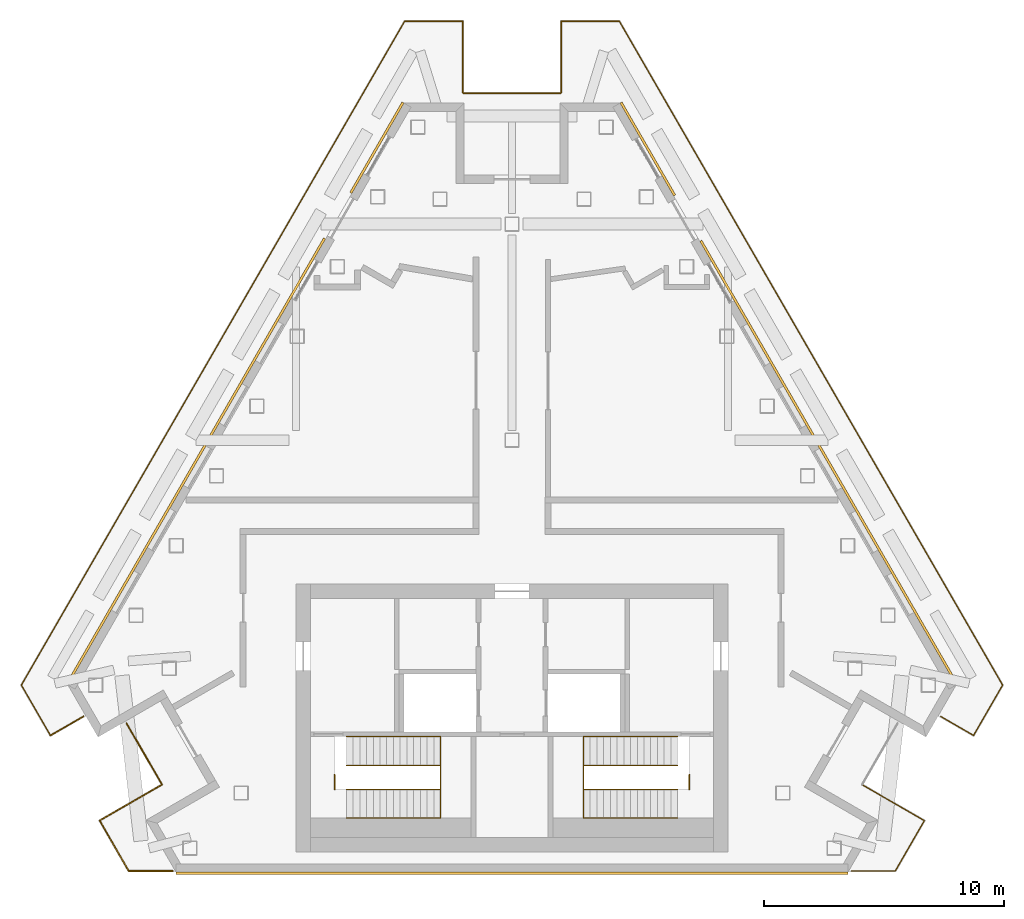
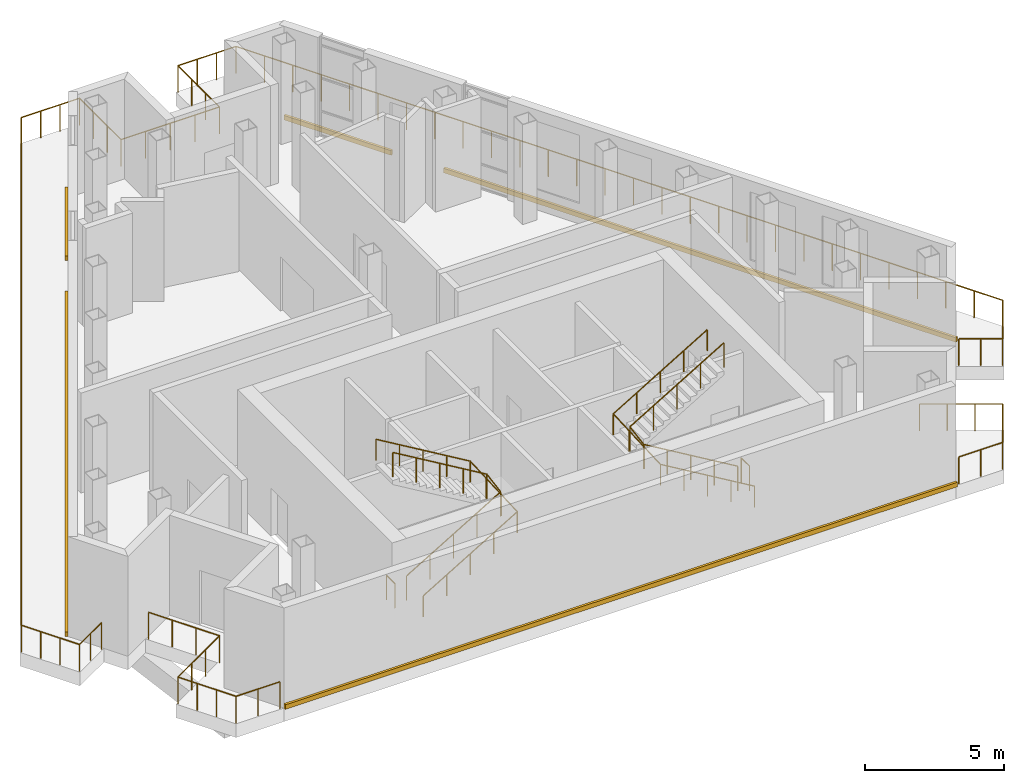
# One storey, part 6 of 7: 11 railings, 5 coverings.
"""IFC4 building model written with IfcOpenShell, lengths in metres."""

from ifc_helpers import new_model, si_unit, direction, frame, origin, origin_2d, place, context, subcontext, project, spatial, polyline, circle, outline, extrude, material, type_object, element, save


model = new_model("IFC4")

# Units and contexts
model_context = context("Model", 3, precision=1e-05, world=origin(), true_north=direction((0.0, 1.0)))
body_context = subcontext(model_context, "Body", "Model", "MODEL_VIEW")
ifc_project = project(units=[si_unit("LENGTHUNIT", "METRE"), si_unit("AREAUNIT", "SQUARE_METRE"), si_unit("VOLUMEUNIT", "CUBIC_METRE"), si_unit("PLANEANGLEUNIT", "RADIAN"), si_unit("MASSUNIT", "GRAM", prefix="KILO")], contexts=[model_context])

# Site, building, storey
site_placement = place(None, origin())
site = spatial("IfcSite", under=ifc_project, at=site_placement, CompositionType="ELEMENT")
building_placement = place(site_placement, origin())
building = spatial("IfcBuilding", under=site, at=building_placement, Name="Fogline Exchange Tower", CompositionType="ELEMENT")
storey_placement = place(building_placement, frame((0.0, 0.0, 350.10009765625)))
storey = spatial("IfcBuildingStorey", under=building, at=storey_placement, Name="L79", CompositionType="ELEMENT", Elevation=350.10009765625)

# Railings
ifc_material_1 = material(Name="Stainless steel 304", Category="steel")
railing_type_1 = type_object("IfcRailingType", Name="G1", PredefinedType="GUARDRAIL", material=ifc_material_1)
railing_1_placement = place(storey_placement, frame((-19.231689453125, 5.697509765625, 0.0)))
element("IfcRailing", 1, at=railing_1_placement, inside=storey, type_object=railing_type_1, Name="Guard L79 terrace", PredefinedType="GUARDRAIL", context=body_context, shape_type="SweptSolid", body=[
    extrude(circle(Radius=0.02392578125, at=origin_2d()), frame((0.0, 0.0, 1.17578125), z_axis=(-0.500054140411, 0.865994143547, 0.0), x_axis=(-0.865994143547, -0.500054140411, 0.0)), (0.0, 0.0, 1.0), 2.421142578125),
    extrude(circle(Radius=0.02392578125, at=origin_2d()), frame((-1.210693359375, 2.0966796875, 1.17578125), z_axis=(0.500000991982, 0.866024831063, 0.0), x_axis=(-0.866024831063, 0.500000991982, 0.0)), (0.0, 0.0, 1.0), 31.9423828125),
    extrude(circle(Radius=0.02392578125, at=origin_2d()), frame((14.760498046875, 29.759521484375, 1.17578125), z_axis=(1.0, 0.0, 0.0), x_axis=(0.0, 1.0, 0.0)), (0.0, 0.0, 1.0), 2.421142578125),
    extrude(circle(Radius=0.02392578125, at=origin_2d()), frame((17.181640625, 29.759521484375, 1.17578125), z_axis=(0.0, -1.0, 0.0), x_axis=(1.0, 0.0, 0.0)), (0.0, 0.0, 1.0), 3.0),
    extrude(circle(Radius=0.02392578125, at=origin_2d()), frame((17.181640625, 26.759521484375, 1.17578125), z_axis=(1.0, 0.0, 0.0), x_axis=(0.0, 1.0, 0.0)), (0.0, 0.0, 1.0), 4.10009765625),
    extrude(circle(Radius=0.02392578125, at=origin_2d()), frame((21.28173828125, 26.759521484375, 1.17578125), z_axis=(0.0, 1.0, 0.0), x_axis=(-1.0, 0.0, 0.0)), (0.0, 0.0, 1.0), 3.0),
    extrude(circle(Radius=0.02392578125, at=origin_2d()), frame((21.28173828125, 29.759521484375, 1.17578125), z_axis=(1.0, 0.0, 0.0), x_axis=(0.0, 1.0, 0.0)), (0.0, 0.0, 1.0), 2.421142578125),
    extrude(circle(Radius=0.02392578125, at=origin_2d()), frame((23.702880859375, 29.759521484375, 1.17578125), z_axis=(0.500000991982, -0.866024831063, 0.0), x_axis=(0.866024831063, 0.500000991982, 0.0)), (0.0, 0.0, 1.0), 31.9423828125),
    extrude(circle(Radius=0.02392578125, at=origin_2d()), frame((39.674072265625, 2.0966796875, 1.17578125), z_axis=(-0.500054140411, -0.865994143547, 0.0), x_axis=(0.865994143547, -0.500054140411, 0.0)), (0.0, 0.0, 1.0), 2.421142578125),
    extrude(circle(Radius=0.02392578125, at=origin_2d()), frame((38.46337890625, 0.0, 1.17578125), z_axis=(-0.866031398331, 0.499989616998, 0.0), x_axis=(-0.499989616998, -0.866031398331, 0.0)), (0.0, 0.0, 1.0), 1.58203125),
    extrude(circle(Radius=0.02099609375, at=origin_2d()), origin(), (0.0, 0.0, 1.0), 1.15185546875),
    extrude(circle(Radius=0.02099609375, at=origin_2d()), frame((-0.403564453125, 0.698974609375, 0.0)), (0.0, 0.0, 1.0), 1.15185546875),
    extrude(circle(Radius=0.02099609375, at=origin_2d()), frame((-0.80712890625, 1.397705078125, 0.0)), (0.0, 0.0, 1.0), 1.15185546875),
    extrude(circle(Radius=0.02099609375, at=origin_2d()), frame((-1.210693359375, 2.0966796875, 0.0)), (0.0, 0.0, 1.0), 1.15185546875),
    extrude(circle(Radius=0.02099609375, at=origin_2d()), frame((-0.619140625, 3.121337890625, 0.0)), (0.0, 0.0, 1.0), 1.15185546875),
    extrude(circle(Radius=0.02099609375, at=origin_2d()), frame((-0.027587890625, 4.145751953125, 0.0)), (0.0, 0.0, 1.0), 1.15185546875),
    extrude(circle(Radius=0.02099609375, at=origin_2d()), frame((0.56396484375, 5.17041015625, 0.0)), (0.0, 0.0, 1.0), 1.15185546875),
    extrude(circle(Radius=0.02099609375, at=origin_2d()), frame((1.155517578125, 6.19482421875, 0.0)), (0.0, 0.0, 1.0), 1.15185546875),
    extrude(circle(Radius=0.02099609375, at=origin_2d()), frame((1.746826171875, 7.219482421875, 0.0)), (0.0, 0.0, 1.0), 1.15185546875),
    extrude(circle(Radius=0.02099609375, at=origin_2d()), frame((2.33837890625, 8.243896484375, 0.0)), (0.0, 0.0, 1.0), 1.15185546875),
    extrude(circle(Radius=0.02099609375, at=origin_2d()), frame((2.929931640625, 9.2685546875, 0.0)), (0.0, 0.0, 1.0), 1.15185546875),
    extrude(circle(Radius=0.02099609375, at=origin_2d()), frame((3.521484375, 10.29296875, 0.0)), (0.0, 0.0, 1.0), 1.15185546875),
    extrude(circle(Radius=0.02099609375, at=origin_2d()), frame((4.113037109375, 11.317626953125, 0.0)), (0.0, 0.0, 1.0), 1.15185546875),
    extrude(circle(Radius=0.02099609375, at=origin_2d()), frame((4.70458984375, 12.34228515625, 0.0)), (0.0, 0.0, 1.0), 1.15185546875),
    extrude(circle(Radius=0.02099609375, at=origin_2d()), frame((5.296142578125, 13.36669921875, 0.0)), (0.0, 0.0, 1.0), 1.15185546875),
    extrude(circle(Radius=0.02099609375, at=origin_2d()), frame((5.8876953125, 14.391357421875, 0.0)), (0.0, 0.0, 1.0), 1.15185546875),
    extrude(circle(Radius=0.02099609375, at=origin_2d()), frame((6.479248046875, 15.415771484375, 0.0)), (0.0, 0.0, 1.0), 1.15185546875),
    extrude(circle(Radius=0.02099609375, at=origin_2d()), frame((7.070556640625, 16.4404296875, 0.0)), (0.0, 0.0, 1.0), 1.15185546875),
    extrude(circle(Radius=0.02099609375, at=origin_2d()), frame((7.662109375, 17.46484375, 0.0)), (0.0, 0.0, 1.0), 1.15185546875),
    extrude(circle(Radius=0.02099609375, at=origin_2d()), frame((8.253662109375, 18.489501953125, 0.0)), (0.0, 0.0, 1.0), 1.15185546875),
    extrude(circle(Radius=0.02099609375, at=origin_2d()), frame((8.84521484375, 19.513916015625, 0.0)), (0.0, 0.0, 1.0), 1.15185546875),
    extrude(circle(Radius=0.02099609375, at=origin_2d()), frame((9.436767578125, 20.53857421875, 0.0)), (0.0, 0.0, 1.0), 1.15185546875),
    extrude(circle(Radius=0.02099609375, at=origin_2d()), frame((10.0283203125, 21.563232421875, 0.0)), (0.0, 0.0, 1.0), 1.15185546875),
    extrude(circle(Radius=0.02099609375, at=origin_2d()), frame((10.619873046875, 22.587646484375, 0.0)), (0.0, 0.0, 1.0), 1.15185546875),
    extrude(circle(Radius=0.02099609375, at=origin_2d()), frame((11.21142578125, 23.6123046875, 0.0)), (0.0, 0.0, 1.0), 1.15185546875),
    extrude(circle(Radius=0.02099609375, at=origin_2d()), frame((11.802978515625, 24.63671875, 0.0)), (0.0, 0.0, 1.0), 1.15185546875),
    extrude(circle(Radius=0.02099609375, at=origin_2d()), frame((12.394287109375, 25.661376953125, 0.0)), (0.0, 0.0, 1.0), 1.15185546875),
    extrude(circle(Radius=0.02099609375, at=origin_2d()), frame((12.98583984375, 26.685791015625, 0.0)), (0.0, 0.0, 1.0), 1.15185546875),
    extrude(circle(Radius=0.02099609375, at=origin_2d()), frame((13.577392578125, 27.71044921875, 0.0)), (0.0, 0.0, 1.0), 1.15185546875),
    extrude(circle(Radius=0.02099609375, at=origin_2d()), frame((14.1689453125, 28.73486328125, 0.0)), (0.0, 0.0, 1.0), 1.15185546875),
    extrude(circle(Radius=0.02099609375, at=origin_2d()), frame((14.760498046875, 29.759521484375, 0.0)), (0.0, 0.0, 1.0), 1.15185546875),
    extrude(circle(Radius=0.02099609375, at=origin_2d()), frame((15.567626953125, 29.759521484375, 0.0)), (0.0, 0.0, 1.0), 1.15185546875),
    extrude(circle(Radius=0.02099609375, at=origin_2d()), frame((16.37451171875, 29.759521484375, 0.0)), (0.0, 0.0, 1.0), 1.15185546875),
    extrude(circle(Radius=0.02099609375, at=origin_2d()), frame((17.181640625, 29.759521484375, 0.0)), (0.0, 0.0, 1.0), 1.15185546875),
    extrude(circle(Radius=0.02099609375, at=origin_2d()), frame((17.181640625, 28.759521484375, 0.0)), (0.0, 0.0, 1.0), 1.15185546875),
    extrude(circle(Radius=0.02099609375, at=origin_2d()), frame((17.181640625, 27.759521484375, 0.0)), (0.0, 0.0, 1.0), 1.15185546875),
    extrude(circle(Radius=0.02099609375, at=origin_2d()), frame((17.181640625, 26.759521484375, 0.0)), (0.0, 0.0, 1.0), 1.15185546875),
    extrude(circle(Radius=0.02099609375, at=origin_2d()), frame((18.20654296875, 26.759521484375, 0.0)), (0.0, 0.0, 1.0), 1.15185546875),
    extrude(circle(Radius=0.02099609375, at=origin_2d()), frame((19.231689453125, 26.759521484375, 0.0)), (0.0, 0.0, 1.0), 1.15185546875),
    extrude(circle(Radius=0.02099609375, at=origin_2d()), frame((20.2568359375, 26.759521484375, 0.0)), (0.0, 0.0, 1.0), 1.15185546875),
    extrude(circle(Radius=0.02099609375, at=origin_2d()), frame((21.28173828125, 26.759521484375, 0.0)), (0.0, 0.0, 1.0), 1.15185546875),
    extrude(circle(Radius=0.02099609375, at=origin_2d()), frame((21.28173828125, 27.759521484375, 0.0)), (0.0, 0.0, 1.0), 1.15185546875),
    extrude(circle(Radius=0.02099609375, at=origin_2d()), frame((21.28173828125, 28.759521484375, 0.0)), (0.0, 0.0, 1.0), 1.15185546875),
    extrude(circle(Radius=0.02099609375, at=origin_2d()), frame((21.28173828125, 29.759521484375, 0.0)), (0.0, 0.0, 1.0), 1.15185546875),
    extrude(circle(Radius=0.02099609375, at=origin_2d()), frame((22.0888671875, 29.759521484375, 0.0)), (0.0, 0.0, 1.0), 1.15185546875),
    extrude(circle(Radius=0.02099609375, at=origin_2d()), frame((22.895751953125, 29.759521484375, 0.0)), (0.0, 0.0, 1.0), 1.15185546875),
    extrude(circle(Radius=0.02099609375, at=origin_2d()), frame((23.702880859375, 29.759521484375, 0.0)), (0.0, 0.0, 1.0), 1.15185546875),
    extrude(circle(Radius=0.02099609375, at=origin_2d()), frame((24.29443359375, 28.73486328125, 0.0)), (0.0, 0.0, 1.0), 1.15185546875),
    extrude(circle(Radius=0.02099609375, at=origin_2d()), frame((24.885986328125, 27.71044921875, 0.0)), (0.0, 0.0, 1.0), 1.15185546875),
    extrude(circle(Radius=0.02099609375, at=origin_2d()), frame((25.4775390625, 26.685791015625, 0.0)), (0.0, 0.0, 1.0), 1.15185546875),
    extrude(circle(Radius=0.02099609375, at=origin_2d()), frame((26.069091796875, 25.661376953125, 0.0)), (0.0, 0.0, 1.0), 1.15185546875),
    extrude(circle(Radius=0.02099609375, at=origin_2d()), frame((26.660400390625, 24.63671875, 0.0)), (0.0, 0.0, 1.0), 1.15185546875),
    extrude(circle(Radius=0.02099609375, at=origin_2d()), frame((27.251953125, 23.6123046875, 0.0)), (0.0, 0.0, 1.0), 1.15185546875),
    extrude(circle(Radius=0.02099609375, at=origin_2d()), frame((27.843505859375, 22.587646484375, 0.0)), (0.0, 0.0, 1.0), 1.15185546875),
    extrude(circle(Radius=0.02099609375, at=origin_2d()), frame((28.43505859375, 21.563232421875, 0.0)), (0.0, 0.0, 1.0), 1.15185546875),
    extrude(circle(Radius=0.02099609375, at=origin_2d()), frame((29.026611328125, 20.53857421875, 0.0)), (0.0, 0.0, 1.0), 1.15185546875),
    extrude(circle(Radius=0.02099609375, at=origin_2d()), frame((29.6181640625, 19.513916015625, 0.0)), (0.0, 0.0, 1.0), 1.15185546875),
    extrude(circle(Radius=0.02099609375, at=origin_2d()), frame((30.209716796875, 18.489501953125, 0.0)), (0.0, 0.0, 1.0), 1.15185546875),
    extrude(circle(Radius=0.02099609375, at=origin_2d()), frame((30.80126953125, 17.46484375, 0.0)), (0.0, 0.0, 1.0), 1.15185546875),
    extrude(circle(Radius=0.02099609375, at=origin_2d()), frame((31.392822265625, 16.4404296875, 0.0)), (0.0, 0.0, 1.0), 1.15185546875),
    extrude(circle(Radius=0.02099609375, at=origin_2d()), frame((31.984130859375, 15.415771484375, 0.0)), (0.0, 0.0, 1.0), 1.15185546875),
    extrude(circle(Radius=0.02099609375, at=origin_2d()), frame((32.57568359375, 14.391357421875, 0.0)), (0.0, 0.0, 1.0), 1.15185546875),
    extrude(circle(Radius=0.02099609375, at=origin_2d()), frame((33.167236328125, 13.36669921875, 0.0)), (0.0, 0.0, 1.0), 1.15185546875),
    extrude(circle(Radius=0.02099609375, at=origin_2d()), frame((33.7587890625, 12.34228515625, 0.0)), (0.0, 0.0, 1.0), 1.15185546875),
    extrude(circle(Radius=0.02099609375, at=origin_2d()), frame((34.350341796875, 11.317626953125, 0.0)), (0.0, 0.0, 1.0), 1.15185546875),
    extrude(circle(Radius=0.02099609375, at=origin_2d()), frame((34.94189453125, 10.29296875, 0.0)), (0.0, 0.0, 1.0), 1.15185546875),
    extrude(circle(Radius=0.02099609375, at=origin_2d()), frame((35.533447265625, 9.2685546875, 0.0)), (0.0, 0.0, 1.0), 1.15185546875),
    extrude(circle(Radius=0.02099609375, at=origin_2d()), frame((36.125, 8.243896484375, 0.0)), (0.0, 0.0, 1.0), 1.15185546875),
    extrude(circle(Radius=0.02099609375, at=origin_2d()), frame((36.716552734375, 7.219482421875, 0.0)), (0.0, 0.0, 1.0), 1.15185546875),
    extrude(circle(Radius=0.02099609375, at=origin_2d()), frame((37.307861328125, 6.19482421875, 0.0)), (0.0, 0.0, 1.0), 1.15185546875),
    extrude(circle(Radius=0.02099609375, at=origin_2d()), frame((37.8994140625, 5.17041015625, 0.0)), (0.0, 0.0, 1.0), 1.15185546875),
    extrude(circle(Radius=0.02099609375, at=origin_2d()), frame((38.490966796875, 4.145751953125, 0.0)), (0.0, 0.0, 1.0), 1.15185546875),
    extrude(circle(Radius=0.02099609375, at=origin_2d()), frame((39.08251953125, 3.121337890625, 0.0)), (0.0, 0.0, 1.0), 1.15185546875),
    extrude(circle(Radius=0.02099609375, at=origin_2d()), frame((39.674072265625, 2.0966796875, 0.0)), (0.0, 0.0, 1.0), 1.15185546875),
    extrude(circle(Radius=0.02099609375, at=origin_2d()), frame((39.2705078125, 1.397705078125, 0.0)), (0.0, 0.0, 1.0), 1.15185546875),
    extrude(circle(Radius=0.02099609375, at=origin_2d()), frame((38.866943359375, 0.698974609375, 0.0)), (0.0, 0.0, 1.0), 1.15185546875),
    extrude(circle(Radius=0.02099609375, at=origin_2d()), frame((38.46337890625, 0.0, 0.0)), (0.0, 0.0, 1.0), 1.15185546875),
    extrude(circle(Radius=0.02099609375, at=origin_2d()), frame((37.7783203125, 0.3955078125, 0.0)), (0.0, 0.0, 1.0), 1.15185546875),
    extrude(circle(Radius=0.02099609375, at=origin_2d()), frame((37.09326171875, 0.791015625, 0.0)), (0.0, 0.0, 1.0), 1.15185546875),
])
railing_2_placement = place(storey_placement, frame((-17.861572265625, 6.488525390625, 0.0)))
element("IfcRailing", 2, at=railing_2_placement, inside=storey, type_object=railing_type_1, Name="Guard L79 terrace", PredefinedType="GUARDRAIL", context=body_context, shape_type="SweptSolid", body=[
    extrude(circle(Radius=0.02392578125, at=origin_2d()), frame((0.0, 0.0, 1.17578125), z_axis=(-0.866031398331, -0.499989616998, 0.0), x_axis=(0.499989616998, -0.866031398331, 0.0)), (0.0, 0.0, 1.0), 1.58203125),
    extrude(circle(Radius=0.02099609375, at=origin_2d()), origin(), (0.0, 0.0, 1.0), 1.15185546875),
    extrude(circle(Radius=0.02099609375, at=origin_2d()), frame((-0.68505859375, -0.3955078125, 0.0)), (0.0, 0.0, 1.0), 1.15185546875),
    extrude(circle(Radius=0.02099609375, at=origin_2d()), frame((-1.3701171875, -0.791015625, 0.0)), (0.0, 0.0, 1.0), 1.15185546875),
])
railing_3_placement = place(storey_placement, frame((-15.97119140625, 0.050048828125, 0.0)))
element("IfcRailing", 3, at=railing_3_placement, inside=storey, type_object=railing_type_1, Name="Guard L79 terrace", PredefinedType="GUARDRAIL", context=body_context, shape_type="SweptSolid", body=[
    extrude(circle(Radius=0.02392578125, at=origin_2d()), frame((0.0, 0.0, 1.17578125), z_axis=(-0.499978511878, 0.866037809602, 0.0), x_axis=(-0.866037809602, -0.499978511878, 0.0)), (0.0, 0.0, 1.0), 2.4208984375),
    extrude(circle(Radius=0.02392578125, at=origin_2d()), frame((-1.21044921875, 2.0966796875, 1.17578125), z_axis=(0.866031096941, 0.499990139034, 0.0), x_axis=(-0.499990139034, 0.866031096941, 0.0)), (0.0, 0.0, 1.0), 3.0),
    extrude(circle(Radius=0.02392578125, at=origin_2d()), frame((1.3876953125, 3.5966796875, 1.17578125), z_axis=(-0.500037662692, 0.866003658127, 0.0), x_axis=(-0.866003658127, -0.500037662692, 0.0)), (0.0, 0.0, 1.0), 2.949951171875),
    extrude(circle(Radius=0.02099609375, at=origin_2d()), origin(), (0.0, 0.0, 1.0), 1.15185546875),
    extrude(circle(Radius=0.02099609375, at=origin_2d()), frame((-0.403564453125, 0.698974609375, 0.0)), (0.0, 0.0, 1.0), 1.15185546875),
    extrude(circle(Radius=0.02099609375, at=origin_2d()), frame((-0.806884765625, 1.397705078125, 0.0)), (0.0, 0.0, 1.0), 1.15185546875),
    extrude(circle(Radius=0.02099609375, at=origin_2d()), frame((-1.21044921875, 2.0966796875, 0.0)), (0.0, 0.0, 1.0), 1.15185546875),
    extrude(circle(Radius=0.02099609375, at=origin_2d()), frame((-0.344482421875, 2.5966796875, 0.0)), (0.0, 0.0, 1.0), 1.15185546875),
    extrude(circle(Radius=0.02099609375, at=origin_2d()), frame((0.521728515625, 3.0966796875, 0.0)), (0.0, 0.0, 1.0), 1.15185546875),
    extrude(circle(Radius=0.02099609375, at=origin_2d()), frame((1.3876953125, 3.5966796875, 0.0)), (0.0, 0.0, 1.0), 1.15185546875),
    extrude(circle(Radius=0.02099609375, at=origin_2d()), frame((0.89599609375, 4.4482421875, 0.0)), (0.0, 0.0, 1.0), 1.15185546875),
    extrude(circle(Radius=0.02099609375, at=origin_2d()), frame((0.404296875, 5.2998046875, 0.0)), (0.0, 0.0, 1.0), 1.15185546875),
    extrude(circle(Radius=0.02099609375, at=origin_2d()), frame((-0.08740234375, 6.1513671875, 0.0)), (0.0, 0.0, 1.0), 1.15185546875),
])
railing_4_placement = place(storey_placement, frame((-14.144287109375, 0.050048828125, 0.0)))
element("IfcRailing", 4, at=railing_4_placement, inside=storey, type_object=railing_type_1, Name="Guard L79 terrace", PredefinedType="GUARDRAIL", context=body_context, shape_type="SweptSolid", body=[
    extrude(circle(Radius=0.02392578125, at=origin_2d()), frame((0.0, 0.0, 1.17578125), z_axis=(-1.0, 0.0, 0.0), x_axis=(0.0, -1.0, 0.0)), (0.0, 0.0, 1.0), 1.826904296875),
    extrude(circle(Radius=0.02099609375, at=origin_2d()), origin(), (0.0, 0.0, 1.0), 1.15185546875),
    extrude(circle(Radius=0.02099609375, at=origin_2d()), frame((-0.91357421875, 0.0, 0.0)), (0.0, 0.0, 1.0), 1.15185546875),
    extrude(circle(Radius=0.02099609375, at=origin_2d()), frame((-1.826904296875, 0.0, 0.0)), (0.0, 0.0, 1.0), 1.15185546875),
])
railing_5_placement = place(storey_placement, frame((14.58349609375, 3.646728515625, 0.0)))
element("IfcRailing", 5, at=railing_5_placement, inside=storey, type_object=railing_type_1, Name="Guard L79 terrace", PredefinedType="GUARDRAIL", context=body_context, shape_type="SweptSolid", body=[
    extrude(circle(Radius=0.02392578125, at=origin_2d()), frame((0.0, 0.0, 1.17578125), z_axis=(0.866031096941, -0.499990139034, 0.0), x_axis=(0.499990139034, 0.866031096941, 0.0)), (0.0, 0.0, 1.0), 3.0),
    extrude(circle(Radius=0.02392578125, at=origin_2d()), frame((2.59814453125, -1.5, 1.17578125), z_axis=(-0.499978511878, -0.866037809602, 0.0), x_axis=(0.866037809602, -0.499978511878, 0.0)), (0.0, 0.0, 1.0), 2.4208984375),
    extrude(circle(Radius=0.02392578125, at=origin_2d()), frame((1.3876953125, -3.5966796875, 1.17578125), z_axis=(-1.0, 0.0, 0.0), x_axis=(0.0, -1.0, 0.0)), (0.0, 0.0, 1.0), 1.826904296875),
    extrude(circle(Radius=0.02099609375, at=origin_2d()), origin(), (0.0, 0.0, 1.0), 1.15185546875),
    extrude(circle(Radius=0.02099609375, at=origin_2d()), frame((0.865966796875, -0.5, 0.0)), (0.0, 0.0, 1.0), 1.15185546875),
    extrude(circle(Radius=0.02099609375, at=origin_2d()), frame((1.732177734375, -1.0, 0.0)), (0.0, 0.0, 1.0), 1.15185546875),
    extrude(circle(Radius=0.02099609375, at=origin_2d()), frame((2.59814453125, -1.5, 0.0)), (0.0, 0.0, 1.0), 1.15185546875),
    extrude(circle(Radius=0.02099609375, at=origin_2d()), frame((2.194580078125, -2.198974609375, 0.0)), (0.0, 0.0, 1.0), 1.15185546875),
    extrude(circle(Radius=0.02099609375, at=origin_2d()), frame((1.791259765625, -2.897705078125, 0.0)), (0.0, 0.0, 1.0), 1.15185546875),
    extrude(circle(Radius=0.02099609375, at=origin_2d()), frame((1.3876953125, -3.5966796875, 0.0)), (0.0, 0.0, 1.0), 1.15185546875),
    extrude(circle(Radius=0.02099609375, at=origin_2d()), frame((0.47412109375, -3.5966796875, 0.0)), (0.0, 0.0, 1.0), 1.15185546875),
    extrude(circle(Radius=0.02099609375, at=origin_2d()), frame((-0.439208984375, -3.5966796875, 0.0)), (0.0, 0.0, 1.0), 1.15185546875),
])
ifc_material_2 = material(Name="Steel Q235B", Category="steel")
railing_type_2 = type_object("IfcRailingType", Name="RL-GD", PredefinedType="GUARDRAIL", material=ifc_material_2)
for number, where, name in (
    (6, (-7.389892578125, 3.449951171875, 0.0), "Guard at well"),
    (7, (7.389892578125, 3.449951171875, 0.0), "Guard at well"),
):
    element("IfcRailing", number, at=place(storey_placement, frame(where)), inside=storey, type_object=railing_type_2, Name=name, PredefinedType="GUARDRAIL", context=body_context, shape_type="SweptSolid", body=[
        extrude(circle(Radius=0.02392578125, at=origin_2d()), frame((0.0, 0.0, 1.076171875), z_axis=(0.0, 1.0, 0.0), x_axis=(-1.0, 0.0, 0.0)), (0.0, 0.0, 1.0), 0.60009765625),
        extrude(circle(Radius=0.02099609375, at=origin_2d()), origin(), (0.0, 0.0, 1.0), 1.052001953125),
        extrude(circle(Radius=0.02099609375, at=origin_2d()), frame((0.0, 0.60009765625, 0.0)), (0.0, 0.0, 1.0), 1.052001953125),
    ])
railing_6_placement = place(storey_placement, frame((-6.89990234375, 3.449951171875, 0.16650390625)))
element("IfcRailing", 8, at=railing_6_placement, inside=storey, type_object=railing_type_2, Name="Guard CS1", PredefinedType="GUARDRAIL", context=body_context, shape_type="SweptSolid", body=[
    extrude(circle(Radius=0.02392578125, at=origin_2d()), frame((0.0, 0.0, 1.076171875), z_axis=(0.859272722373, 0.0, 0.511517730471), x_axis=(0.0, 1.0, 0.0)), (0.0, 0.0, 1.0), 4.56201171875),
    extrude(circle(Radius=0.02392578125, at=origin_2d()), frame((3.919921875, 0.0, 3.40966796875), z_axis=(0.0, 0.986419946618, 0.164242774315), x_axis=(-1.0, 0.0, 0.0)), (0.0, 0.0, 1.0), 1.013671875),
    extrude(circle(Radius=0.02392578125, at=origin_2d()), frame((3.919921875, 1.0, 3.576171875), z_axis=(-0.859272722373, 0.0, 0.511517730471), x_axis=(0.0, -1.0, 0.0)), (0.0, 0.0, 1.0), 4.56201171875),
    extrude(circle(Radius=0.02099609375, at=origin_2d()), origin(), (0.0, 0.0, 1.0), 1.052001953125),
    extrude(circle(Radius=0.02099609375, at=origin_2d()), frame((0.97998046875, 0.0, 0.58349609375)), (0.0, 0.0, 1.0), 1.052001953125),
    extrude(circle(Radius=0.02099609375, at=origin_2d()), frame((1.9599609375, 0.0, 1.166748046875)), (0.0, 0.0, 1.0), 1.052001953125),
    extrude(circle(Radius=0.02099609375, at=origin_2d()), frame((2.93994140625, 0.0, 1.75)), (0.0, 0.0, 1.0), 1.052001953125),
    extrude(circle(Radius=0.02099609375, at=origin_2d()), frame((3.919921875, 0.0, 2.33349609375)), (0.0, 0.0, 1.0), 1.052001953125),
    extrude(circle(Radius=0.02099609375, at=origin_2d()), frame((3.919921875, 1.0, 2.5)), (0.0, 0.0, 1.0), 1.052001953125),
    extrude(circle(Radius=0.02099609375, at=origin_2d()), frame((2.93994140625, 1.0, 3.08349609375)), (0.0, 0.0, 1.0), 1.052001953125),
    extrude(circle(Radius=0.02099609375, at=origin_2d()), frame((1.9599609375, 1.0, 3.666748046875)), (0.0, 0.0, 1.0), 1.052001953125),
    extrude(circle(Radius=0.02099609375, at=origin_2d()), frame((0.97998046875, 1.0, 4.25)), (0.0, 0.0, 1.0), 1.052001953125),
    extrude(circle(Radius=0.02099609375, at=origin_2d()), frame((0.0, 1.0, 4.83349609375)), (0.0, 0.0, 1.0), 1.052001953125),
])
railing_7_placement = place(storey_placement, frame((6.89990234375, 3.449951171875, 0.16650390625)))
element("IfcRailing", 9, at=railing_7_placement, inside=storey, type_object=railing_type_2, Name="Guard CS2", PredefinedType="GUARDRAIL", context=body_context, shape_type="SweptSolid", body=[
    extrude(circle(Radius=0.02392578125, at=origin_2d()), frame((0.0, 0.0, 1.076171875), z_axis=(-0.859272722373, 0.0, 0.511517730471), x_axis=(0.0, -1.0, 0.0)), (0.0, 0.0, 1.0), 4.56201171875),
    extrude(circle(Radius=0.02392578125, at=origin_2d()), frame((-3.919921875, 0.0, 3.40966796875), z_axis=(0.0, 0.986419946618, 0.164242774315), x_axis=(-1.0, 0.0, 0.0)), (0.0, 0.0, 1.0), 1.013671875),
    extrude(circle(Radius=0.02392578125, at=origin_2d()), frame((-3.919921875, 1.0, 3.576171875), z_axis=(0.859272722373, 0.0, 0.511517730471), x_axis=(0.0, 1.0, 0.0)), (0.0, 0.0, 1.0), 4.56201171875),
    extrude(circle(Radius=0.02099609375, at=origin_2d()), origin(), (0.0, 0.0, 1.0), 1.052001953125),
    extrude(circle(Radius=0.02099609375, at=origin_2d()), frame((-0.97998046875, 0.0, 0.58349609375)), (0.0, 0.0, 1.0), 1.052001953125),
    extrude(circle(Radius=0.02099609375, at=origin_2d()), frame((-1.9599609375, 0.0, 1.166748046875)), (0.0, 0.0, 1.0), 1.052001953125),
    extrude(circle(Radius=0.02099609375, at=origin_2d()), frame((-2.93994140625, 0.0, 1.75)), (0.0, 0.0, 1.0), 1.052001953125),
    extrude(circle(Radius=0.02099609375, at=origin_2d()), frame((-3.919921875, 0.0, 2.33349609375)), (0.0, 0.0, 1.0), 1.052001953125),
    extrude(circle(Radius=0.02099609375, at=origin_2d()), frame((-3.919921875, 1.0, 2.5)), (0.0, 0.0, 1.0), 1.052001953125),
    extrude(circle(Radius=0.02099609375, at=origin_2d()), frame((-2.93994140625, 1.0, 3.08349609375)), (0.0, 0.0, 1.0), 1.052001953125),
    extrude(circle(Radius=0.02099609375, at=origin_2d()), frame((-1.9599609375, 1.0, 3.666748046875)), (0.0, 0.0, 1.0), 1.052001953125),
    extrude(circle(Radius=0.02099609375, at=origin_2d()), frame((-0.97998046875, 1.0, 4.25)), (0.0, 0.0, 1.0), 1.052001953125),
    extrude(circle(Radius=0.02099609375, at=origin_2d()), frame((0.0, 1.0, 4.83349609375)), (0.0, 0.0, 1.0), 1.052001953125),
])
railing_type_3 = type_object("IfcRailingType", Name="RL-HR", PredefinedType="HANDRAIL", material=ifc_material_2)
railing_8_placement = place(storey_placement, frame((-6.89990234375, 2.25, 0.16650390625)))
element("IfcRailing", 10, at=railing_8_placement, inside=storey, type_object=railing_type_3, Name="Handrail CS1", PredefinedType="HANDRAIL", context=body_context, shape_type="SweptSolid", body=[
    extrude(circle(Radius=0.02392578125, at=origin_2d()), frame((0.0, 0.0, 0.92578125), z_axis=(0.859272722373, 0.0, 0.511517730471), x_axis=(0.0, 1.0, 0.0)), (0.0, 0.0, 1.0), 4.56201171875),
    extrude(circle(Radius=0.02392578125, at=origin_2d()), frame((3.919921875, 0.0, 3.25927734375), z_axis=(0.0, 0.998802968358, 0.048914521357), x_axis=(-1.0, 0.0, 0.0)), (0.0, 0.0, 1.0), 3.404052734375),
    extrude(circle(Radius=0.02392578125, at=origin_2d()), frame((3.919921875, 3.39990234375, 3.42578125), z_axis=(-0.859272722373, 0.0, 0.511517730471), x_axis=(0.0, -1.0, 0.0)), (0.0, 0.0, 1.0), 4.56201171875),
    extrude(circle(Radius=0.02099609375, at=origin_2d()), origin(), (0.0, 0.0, 1.0), 0.90185546875),
    extrude(circle(Radius=0.02099609375, at=origin_2d()), frame((0.97998046875, 0.0, 0.58349609375)), (0.0, 0.0, 1.0), 0.90185546875),
    extrude(circle(Radius=0.02099609375, at=origin_2d()), frame((1.9599609375, 0.0, 1.166748046875)), (0.0, 0.0, 1.0), 0.90185546875),
    extrude(circle(Radius=0.02099609375, at=origin_2d()), frame((2.93994140625, 0.0, 1.75)), (0.0, 0.0, 1.0), 0.90185546875),
    extrude(circle(Radius=0.02099609375, at=origin_2d()), frame((3.919921875, 0.0, 2.33349609375)), (0.0, 0.0, 1.0), 0.90185546875),
    extrude(circle(Radius=0.02099609375, at=origin_2d()), frame((3.919921875, 1.13330078125, 2.388916015625)), (0.0, 0.0, 1.0), 0.90185546875),
    extrude(circle(Radius=0.02099609375, at=origin_2d()), frame((3.919921875, 2.2666015625, 2.444580078125)), (0.0, 0.0, 1.0), 0.90185546875),
    extrude(circle(Radius=0.02099609375, at=origin_2d()), frame((3.919921875, 3.39990234375, 2.5)), (0.0, 0.0, 1.0), 0.90185546875),
    extrude(circle(Radius=0.02099609375, at=origin_2d()), frame((2.93994140625, 3.39990234375, 3.08349609375)), (0.0, 0.0, 1.0), 0.90185546875),
    extrude(circle(Radius=0.02099609375, at=origin_2d()), frame((1.9599609375, 3.39990234375, 3.666748046875)), (0.0, 0.0, 1.0), 0.90185546875),
    extrude(circle(Radius=0.02099609375, at=origin_2d()), frame((0.97998046875, 3.39990234375, 4.25)), (0.0, 0.0, 1.0), 0.90185546875),
    extrude(circle(Radius=0.02099609375, at=origin_2d()), frame((0.0, 3.39990234375, 4.83349609375)), (0.0, 0.0, 1.0), 0.90185546875),
])
railing_9_placement = place(storey_placement, frame((6.89990234375, 2.25, 0.16650390625)))
element("IfcRailing", 11, at=railing_9_placement, inside=storey, type_object=railing_type_3, Name="Handrail CS2", PredefinedType="HANDRAIL", context=body_context, shape_type="SweptSolid", body=[
    extrude(circle(Radius=0.02392578125, at=origin_2d()), frame((0.0, 0.0, 0.92578125), z_axis=(-0.859272722373, 0.0, 0.511517730471), x_axis=(0.0, -1.0, 0.0)), (0.0, 0.0, 1.0), 4.56201171875),
    extrude(circle(Radius=0.02392578125, at=origin_2d()), frame((-3.919921875, 0.0, 3.25927734375), z_axis=(0.0, 0.998802968358, 0.048914521357), x_axis=(-1.0, 0.0, 0.0)), (0.0, 0.0, 1.0), 3.404052734375),
    extrude(circle(Radius=0.02392578125, at=origin_2d()), frame((-3.919921875, 3.39990234375, 3.42578125), z_axis=(0.859272722373, 0.0, 0.511517730471), x_axis=(0.0, 1.0, 0.0)), (0.0, 0.0, 1.0), 4.56201171875),
    extrude(circle(Radius=0.02099609375, at=origin_2d()), origin(), (0.0, 0.0, 1.0), 0.90185546875),
    extrude(circle(Radius=0.02099609375, at=origin_2d()), frame((-0.97998046875, 0.0, 0.58349609375)), (0.0, 0.0, 1.0), 0.90185546875),
    extrude(circle(Radius=0.02099609375, at=origin_2d()), frame((-1.9599609375, 0.0, 1.166748046875)), (0.0, 0.0, 1.0), 0.90185546875),
    extrude(circle(Radius=0.02099609375, at=origin_2d()), frame((-2.93994140625, 0.0, 1.75)), (0.0, 0.0, 1.0), 0.90185546875),
    extrude(circle(Radius=0.02099609375, at=origin_2d()), frame((-3.919921875, 0.0, 2.33349609375)), (0.0, 0.0, 1.0), 0.90185546875),
    extrude(circle(Radius=0.02099609375, at=origin_2d()), frame((-3.919921875, 1.13330078125, 2.388916015625)), (0.0, 0.0, 1.0), 0.90185546875),
    extrude(circle(Radius=0.02099609375, at=origin_2d()), frame((-3.919921875, 2.2666015625, 2.444580078125)), (0.0, 0.0, 1.0), 0.90185546875),
    extrude(circle(Radius=0.02099609375, at=origin_2d()), frame((-3.919921875, 3.39990234375, 2.5)), (0.0, 0.0, 1.0), 0.90185546875),
    extrude(circle(Radius=0.02099609375, at=origin_2d()), frame((-2.93994140625, 3.39990234375, 3.08349609375)), (0.0, 0.0, 1.0), 0.90185546875),
    extrude(circle(Radius=0.02099609375, at=origin_2d()), frame((-1.9599609375, 3.39990234375, 3.666748046875)), (0.0, 0.0, 1.0), 0.90185546875),
    extrude(circle(Radius=0.02099609375, at=origin_2d()), frame((-0.97998046875, 3.39990234375, 4.25)), (0.0, 0.0, 1.0), 0.90185546875),
    extrude(circle(Radius=0.02099609375, at=origin_2d()), frame((0.0, 3.39990234375, 4.83349609375)), (0.0, 0.0, 1.0), 0.90185546875),
])

# Coverings
ifc_material_3 = material(Name="Brick masonry", Category="masonry")
covering_type = type_object("IfcCoveringType", Name="SB1", PredefinedType="CLADDING", material=ifc_material_3)
covering_1_placement = place(storey_placement, origin())
element("IfcCovering", 12, at=covering_1_placement, inside=storey, type_object=covering_type, Name="Stringcourse band L79 S", PredefinedType="CLADDING", context=body_context, shape_type="SweptSolid", body=[
    extrude(outline(polyline([(-14.0, 0.0), (-14.0, -0.10009765625), (14.0, -0.10009765625), (14.0, 0.0), (-14.0, 0.0)])), origin(), (0.0, 0.0, 1.0), 0.199951171875),
])
covering_2_placement = place(storey_placement, origin())
element("IfcCovering", 13, at=covering_2_placement, inside=storey, type_object=covering_type, Name="Stringcourse band L79 E", PredefinedType="CLADDING", context=body_context, shape_type="SweptSolid", body=[
    extrude(outline(polyline([(18.5, 7.794189453125), (18.586669921875, 7.84423828125), (7.91162109375, 26.333984375), (7.824951171875, 26.283935546875), (18.5, 7.794189453125)])), origin(), (0.0, 0.0, 1.0), 0.199951171875),
])
covering_3_placement = place(storey_placement, origin())
element("IfcCovering", 14, at=covering_3_placement, inside=storey, type_object=covering_type, Name="Stringcourse band L79 E", PredefinedType="CLADDING", context=body_context, shape_type="SweptSolid", body=[
    extrude(outline(polyline([(6.732421875, 28.176025390625), (6.819091796875, 28.22607421875), (4.586669921875, 32.093017578125), (4.5, 32.04296875), (6.732421875, 28.176025390625)])), origin(), (0.0, 0.0, 1.0), 0.199951171875),
])
covering_4_placement = place(storey_placement, origin())
element("IfcCovering", 15, at=covering_4_placement, inside=storey, type_object=covering_type, Name="Stringcourse band L79 W", PredefinedType="CLADDING", context=body_context, shape_type="SweptSolid", body=[
    extrude(outline(polyline([(-4.5, 32.04296875), (-4.586669921875, 32.093017578125), (-6.76171875, 28.32568359375), (-6.675048828125, 28.275634765625), (-4.5, 32.04296875)])), origin(), (0.0, 0.0, 1.0), 0.199951171875),
])
covering_5_placement = place(storey_placement, origin())
element("IfcCovering", 16, at=covering_5_placement, inside=storey, type_object=covering_type, Name="Stringcourse band L79 W", PredefinedType="CLADDING", context=body_context, shape_type="SweptSolid", body=[
    extrude(outline(polyline([(-7.767578125, 26.383544921875), (-7.85400390625, 26.43359375), (-18.586669921875, 7.84423828125), (-18.5, 7.794189453125), (-7.767578125, 26.383544921875)])), origin(), (0.0, 0.0, 1.0), 0.199951171875),
])

save(model, "model.ifc")
